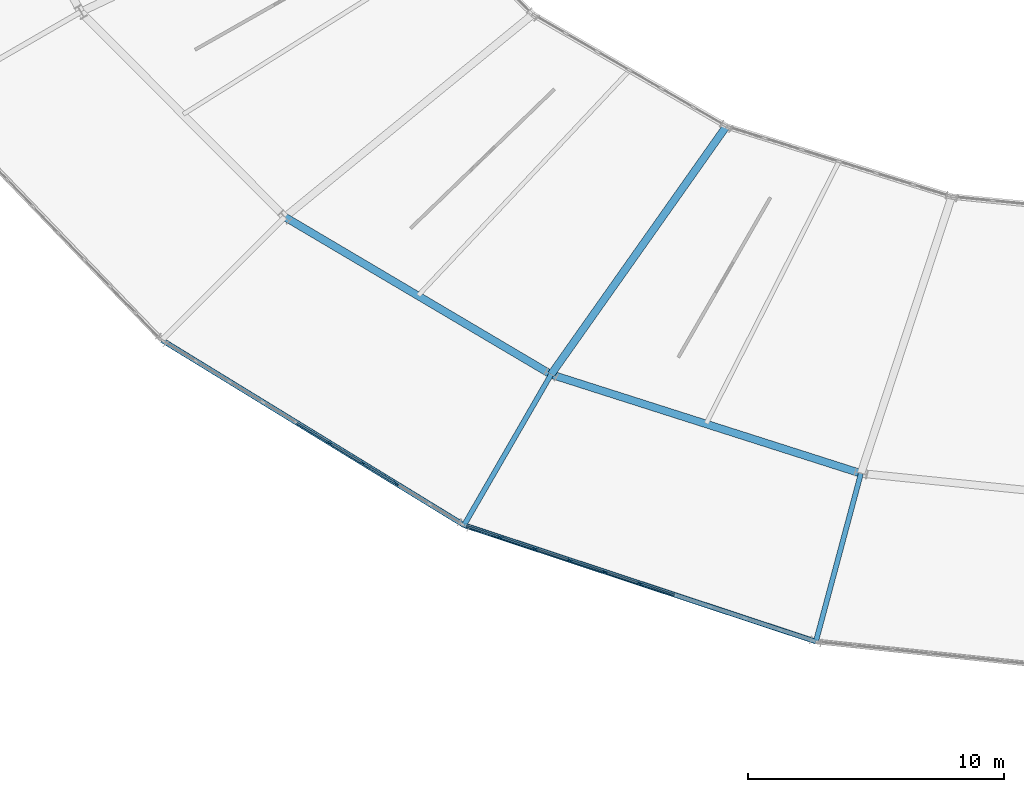
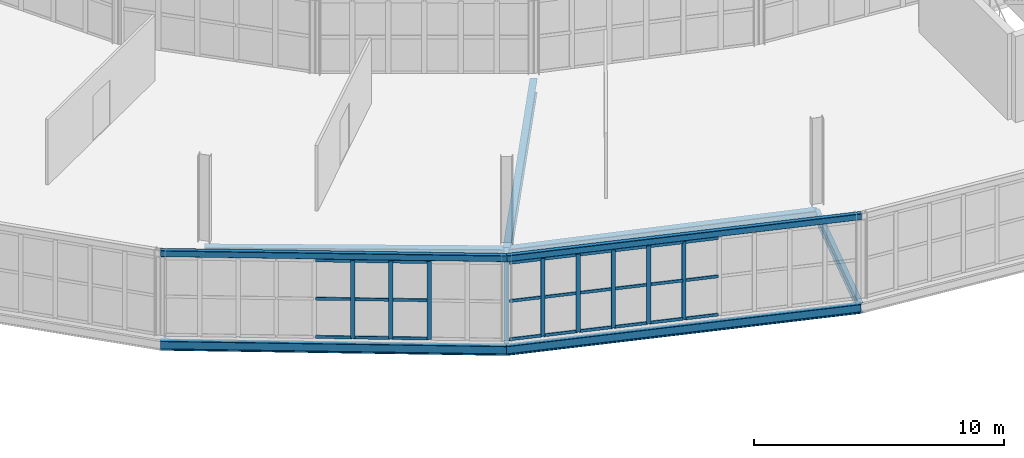
# One storey, part 43 of 161: 35 members, 9 beams, 2 elements without a shape of their own.
"""IFC4 building model written with IfcOpenShell, lengths in metres."""

from ifc_helpers import new_model, si_unit, direction, frame, origin, origin_2d, place, context, subcontext, project, spatial, rectangle, hollow_rectangle, i_section, extrude, material, material_profile, profile_set, type_object, element, aggregate, save


model = new_model("IFC4")

# Units and contexts
model_context = context("Model", 3, precision=1e-05, world=origin(), true_north=direction((0.0, 1.0)))
body_context = subcontext(model_context, "Body", "Model", "MODEL_VIEW")
ifc_project = project(units=[si_unit("LENGTHUNIT", "METRE"), si_unit("AREAUNIT", "SQUARE_METRE"), si_unit("VOLUMEUNIT", "CUBIC_METRE"), si_unit("PLANEANGLEUNIT", "RADIAN"), si_unit("MASSUNIT", "GRAM", prefix="KILO")], contexts=[model_context])

# Site, building, storey
site_placement = place(None, origin())
site = spatial("IfcSite", under=ifc_project, at=site_placement, CompositionType="ELEMENT")
building_placement = place(site_placement, origin())
building = spatial("IfcBuilding", under=site, at=building_placement, Name="Kildeholm Park Wholesale Market", CompositionType="ELEMENT")
storey_placement = place(building_placement, frame((0.0, 0.0, 5.39990234375)))
storey = spatial("IfcBuildingStorey", under=building, at=storey_placement, Name="L01", CompositionType="ELEMENT", Elevation=5.39990234375)

# Beams
ifc_material_1 = material(Name="Steel S355", Category="steel")
ifc_material_profile_1 = material_profile(ifc_material_1, i_section(OverallWidth=0.300048828125, OverallDepth=0.699951171875, WebThickness=0.01708984375, FlangeThickness=0.031982421875, FilletRadius=0.027099609375, at=origin_2d()), Name="HEB 700")
ifc_profile_set_1 = profile_set([ifc_material_profile_1], Name="Steel S355")
beam_type_1 = type_object("IfcBeamType", Name="Beam B-G01 HEB 700", PredefinedType="BEAM", material=ifc_profile_set_1)
beam_1_placement = place(storey_placement, frame((80.75, 65.68408203125, -0.599853515625), z_axis=(-0.576894674263, -0.816818544603, 0.0), x_axis=(0.816818544603, -0.576894674263, 0.0)))
element("IfcBeam", 1, at=beam_1_placement, inside=storey, type_object=beam_type_1, Name="Beam BM-V1-L01-R1-16 BM-0145", PredefinedType="BEAM", context=body_context, shape_type="SweptSolid", body=[
    extrude(i_section(OverallWidth=0.300048828125, OverallDepth=0.699951171875, WebThickness=0.01708984375, FlangeThickness=0.031982421875, FilletRadius=0.027099609375, at=origin_2d()), origin(), (0.0, 0.0, 1.0), 11.8740234375),
])
ifc_material_profile_2 = material_profile(ifc_material_1, i_section(OverallWidth=0.18994140625, OverallDepth=0.449951171875, WebThickness=0.009521484375, FlangeThickness=0.0146484375, FilletRadius=0.02099609375, at=origin_2d()), Name="IPE 450")
ifc_profile_set_2 = profile_set([ifc_material_profile_2], Name="Steel S355")
beam_type_2 = type_object("IfcBeamType", Name="Beam B-P02 IPE 450", PredefinedType="BEAM", material=ifc_profile_set_2)
beam_2_placement = place(storey_placement, frame((58.695068359375, 57.326904296875, -0.474853515625), z_axis=(0.852740373682, -0.522335002745, 0.0), x_axis=(0.522335002745, 0.852740373682, 0.0)))
element("IfcBeam", 2, at=beam_2_placement, inside=storey, type_object=beam_type_2, Name="Beam BM-V1-L01-CO-15 BM-0141", PredefinedType="BEAM", context=body_context, shape_type="SweptSolid", body=[
    extrude(i_section(OverallWidth=0.18994140625, OverallDepth=0.449951171875, WebThickness=0.009521484375, FlangeThickness=0.0146484375, FilletRadius=0.02099609375, at=origin_2d()), origin(), (0.0, 0.0, 1.0), 13.843505859375),
])
beam_3_placement = place(storey_placement, frame((70.5, 50.095947265625, -0.474853515625), z_axis=(0.949435985478, -0.313960681424, 0.0), x_axis=(0.313960681424, 0.949435985478, 0.0)))
element("IfcBeam", 3, at=beam_3_placement, inside=storey, type_object=beam_type_2, Name="Beam BM-V1-L01-CO-16 BM-0150", PredefinedType="BEAM", context=body_context, shape_type="SweptSolid", body=[
    extrude(i_section(OverallWidth=0.18994140625, OverallDepth=0.449951171875, WebThickness=0.009521484375, FlangeThickness=0.0146484375, FilletRadius=0.02099609375, at=origin_2d()), origin(), (0.0, 0.0, 1.0), 14.479248046875),
])
ifc_material_profile_3 = material_profile(ifc_material_1, i_section(OverallWidth=0.199951171875, OverallDepth=0.5, WebThickness=0.01025390625, FlangeThickness=0.01611328125, FilletRadius=0.02099609375, at=origin_2d()), Name="IPE 500")
ifc_profile_set_3 = profile_set([ifc_material_profile_3], Name="Steel S355")
beam_type_3 = type_object("IfcBeamType", Name="Beam B-P03 IPE 500", PredefinedType="BEAM", material=ifc_profile_set_3)
beam_4_placement = place(storey_placement, frame((73.89990234375, 55.985107421875, -0.5), z_axis=(-0.499977295307, -0.866038511948, 0.0), x_axis=(0.866038511948, -0.499977295307, 0.0)))
element("IfcBeam", 4, at=beam_4_placement, inside=storey, type_object=beam_type_3, Name="Beam BM-V1-L01-R2-16 BM-0147", PredefinedType="BEAM", context=body_context, shape_type="SweptSolid", body=[
    extrude(i_section(OverallWidth=0.199951171875, OverallDepth=0.5, WebThickness=0.01025390625, FlangeThickness=0.01611328125, FilletRadius=0.02099609375, at=origin_2d()), origin(), (0.0, 0.0, 1.0), 6.800048828125),
])
beam_5_placement = place(storey_placement, frame((86.007080078125, 52.118896484375, -0.5), z_axis=(-0.258804274594, -0.965929783914, 0.0), x_axis=(0.965929783914, -0.258804274594, 0.0)))
element("IfcBeam", 5, at=beam_5_placement, inside=storey, type_object=beam_type_3, Name="Beam BM-V1-L01-R2-17 BM-0157", PredefinedType="BEAM", context=body_context, shape_type="SweptSolid", body=[
    extrude(i_section(OverallWidth=0.199951171875, OverallDepth=0.5, WebThickness=0.01025390625, FlangeThickness=0.01611328125, FilletRadius=0.02099609375, at=origin_2d()), origin(), (0.0, 0.0, 1.0), 6.800537109375),
])
ifc_material_profile_4 = material_profile(ifc_material_1, i_section(OverallWidth=0.300048828125, OverallDepth=0.43994140625, WebThickness=0.011474609375, FlangeThickness=0.02099609375, FilletRadius=0.027099609375, at=origin_2d()), Name="HEA 450")
ifc_profile_set_4 = profile_set([ifc_material_profile_4], Name="Steel S355")
beam_type_4 = type_object("IfcBeamType", Name="Beam B-R02 HEA 450", PredefinedType="BEAM", material=ifc_profile_set_4)
beam_6_placement = place(storey_placement, frame((63.5029296875, 62.135009765625, -0.469970703125), z_axis=(0.860700316594, -0.509111937609, 0.0), x_axis=(0.509111937609, 0.860700316594, 0.0)))
element("IfcBeam", 6, at=beam_6_placement, inside=storey, type_object=beam_type_4, Name="Beam BM-V1-L01-CM-15 BM-0140", PredefinedType="BEAM", context=body_context, shape_type="SweptSolid", body=[
    extrude(i_section(OverallWidth=0.300048828125, OverallDepth=0.43994140625, WebThickness=0.011474609375, FlangeThickness=0.02099609375, FilletRadius=0.027099609375, at=origin_2d()), origin(), (0.0, 0.0, 1.0), 12.07958984375),
])
beam_7_placement = place(storey_placement, frame((73.89990234375, 55.985107421875, -0.469970703125), z_axis=(0.952608649326, -0.304198555599, 0.0), x_axis=(0.304198555599, 0.952608649326, 0.0)))
element("IfcBeam", 7, at=beam_7_placement, inside=storey, type_object=beam_type_4, Name="Beam BM-V1-L01-CM-16 BM-0149", PredefinedType="BEAM", context=body_context, shape_type="SweptSolid", body=[
    extrude(i_section(OverallWidth=0.300048828125, OverallDepth=0.43994140625, WebThickness=0.011474609375, FlangeThickness=0.02099609375, FilletRadius=0.027099609375, at=origin_2d()), origin(), (0.0, 0.0, 1.0), 12.70947265625),
])
ifc_material_profile_5 = material_profile(ifc_material_1, hollow_rectangle(XDim=0.199951171875, YDim=0.300048828125, WallThickness=0.012451171875, InnerFilletRadius=0.012451171875, OuterFilletRadius=0.02490234375, at=origin_2d()), Name="RHS 300x200x12.5")
ifc_profile_set_5 = profile_set([ifc_material_profile_5], Name="Steel S355")
beam_type_5 = type_object("IfcBeamType", Name="Beam SP-01 RHS 300x200x12.5", PredefinedType="SPANDREL", material=ifc_profile_set_5)
beam_8_placement = place(storey_placement, frame((58.695068359375, 57.326904296875, 4.02294921875), z_axis=(0.852740373682, -0.522335002745, 0.0), x_axis=(0.522335002745, 0.852740373682, 0.0)))
element("IfcBeam", 8, at=beam_8_placement, inside=storey, type_object=beam_type_5, Name="Beam SP-V1-EAV-15 BM-0310", PredefinedType="SPANDREL", context=body_context, shape_type="SweptSolid", body=[
    extrude(hollow_rectangle(XDim=0.199951171875, YDim=0.300048828125, WallThickness=0.012451171875, InnerFilletRadius=0.012451171875, OuterFilletRadius=0.02490234375, at=origin_2d()), origin(), (0.0, 0.0, 1.0), 13.843505859375),
])
beam_9_placement = place(storey_placement, frame((70.5, 50.095947265625, 4.02294921875), z_axis=(0.949435985478, -0.313960681424, 0.0), x_axis=(0.313960681424, 0.949435985478, 0.0)))
element("IfcBeam", 9, at=beam_9_placement, inside=storey, type_object=beam_type_5, Name="Beam SP-V1-EAV-16 BM-0316", PredefinedType="SPANDREL", context=body_context, shape_type="SweptSolid", body=[
    extrude(hollow_rectangle(XDim=0.199951171875, YDim=0.300048828125, WallThickness=0.012451171875, InnerFilletRadius=0.012451171875, OuterFilletRadius=0.02490234375, at=origin_2d()), origin(), (0.0, 0.0, 1.0), 14.479248046875),
])

# Curtain wall, members
ifc_material_2 = material(Name="Anodised aluminium and low-E double-glazed glass", Category="aluminium")
curtain_wall_type = type_object("IfcCurtainWallType", Name="Market hall glazed arcade stick curtain wall CW-01", PredefinedType="NOTDEFINED", material=ifc_material_2)
curtain_wall_1_placement = place(storey_placement, origin())
curtain_wall_1 = element("IfcCurtainWall", 10, at=curtain_wall_1_placement, inside=storey, type_object=curtain_wall_type, Name="Curtain wall CW-V1-OT-15-1 CW-0074", PredefinedType="NOTDEFINED")
ifc_material_3 = material(Name="Anodised aluminium", Category="aluminium")
ifc_material_profile_6 = material_profile(ifc_material_3, rectangle(XDim=0.06494140625, YDim=0.179931640625, at=origin_2d()), Name="CWM 65x180")
ifc_profile_set_6 = profile_set([ifc_material_profile_6], Name="Anodised aluminium")
member_type_1 = type_object("IfcMemberType", Name="Curtain-wall mullion CWM-1 CWM 65x180", PredefinedType="MULLION", material=ifc_profile_set_6)
member_1_placement = place(storey_placement, frame((65.24609375, 53.30810546875, 0.0), z_axis=(0.0, 0.0, 1.0), x_axis=(0.522284342695, 0.852771402766, 0.0)))
member_1 = element("IfcMember", 11, at=member_1_placement, type_object=member_type_1, Name="CW-01 mullion 6 MEM-2380", PredefinedType="MULLION", context=body_context, shape_type="SweptSolid", body=[
    extrude(rectangle(XDim=0.06494140625, YDim=0.179931640625, at=origin_2d()), origin(), (0.0, 0.0, 1.0), 3.800048828125),
])
member_2_placement = place(storey_placement, frame((66.55029296875, 52.50927734375, 0.0), z_axis=(0.0, 0.0, 1.0), x_axis=(0.522284342695, 0.852771402766, 0.0)))
member_2 = element("IfcMember", 12, at=member_2_placement, type_object=member_type_1, Name="CW-01 mullion 7 MEM-2381", PredefinedType="MULLION", context=body_context, shape_type="SweptSolid", body=[
    extrude(rectangle(XDim=0.06494140625, YDim=0.179931640625, at=origin_2d()), origin(), (0.0, 0.0, 1.0), 3.800048828125),
])
member_3_placement = place(storey_placement, frame((67.8544921875, 51.71044921875, 0.0), z_axis=(0.0, 0.0, 1.0), x_axis=(0.522284342695, 0.852771402766, 0.0)))
member_3 = element("IfcMember", 13, at=member_3_placement, type_object=member_type_1, Name="CW-01 mullion 8 MEM-2382", PredefinedType="MULLION", context=body_context, shape_type="SweptSolid", body=[
    extrude(rectangle(XDim=0.06494140625, YDim=0.179931640625, at=origin_2d()), origin(), (0.0, 0.0, 1.0), 3.800048828125),
])

curtain_wall_2_placement = place(storey_placement, origin())
curtain_wall_2 = element("IfcCurtainWall", 14, at=curtain_wall_2_placement, inside=storey, type_object=curtain_wall_type, Name="Curtain wall CW-V1-OT-16-1 CW-0079", PredefinedType="NOTDEFINED")
member_4_placement = place(storey_placement, frame((71.903076171875, 49.626953125, 0.0), z_axis=(0.0, 0.0, 1.0), x_axis=(0.313914140335, 0.949451374478, 0.0)))
member_4 = element("IfcMember", 15, at=member_4_placement, type_object=member_type_1, Name="CW-01 mullion 2 MEM-2521", PredefinedType="MULLION", context=body_context, shape_type="SweptSolid", body=[
    extrude(rectangle(XDim=0.06494140625, YDim=0.179931640625, at=origin_2d()), origin(), (0.0, 0.0, 1.0), 3.800048828125),
])
member_5_placement = place(storey_placement, frame((73.270263671875, 49.175048828125, 0.0), z_axis=(0.0, 0.0, 1.0), x_axis=(0.313914140335, 0.949451374478, 0.0)))
member_5 = element("IfcMember", 16, at=member_5_placement, type_object=member_type_1, Name="CW-01 mullion 3 MEM-2522", PredefinedType="MULLION", context=body_context, shape_type="SweptSolid", body=[
    extrude(rectangle(XDim=0.06494140625, YDim=0.179931640625, at=origin_2d()), origin(), (0.0, 0.0, 1.0), 3.800048828125),
])
member_6_placement = place(storey_placement, frame((74.63720703125, 48.722900390625, 0.0), z_axis=(0.0, 0.0, 1.0), x_axis=(0.313914140335, 0.949451374478, 0.0)))
member_6 = element("IfcMember", 17, at=member_6_placement, type_object=member_type_1, Name="CW-01 mullion 4 MEM-2523", PredefinedType="MULLION", context=body_context, shape_type="SweptSolid", body=[
    extrude(rectangle(XDim=0.06494140625, YDim=0.179931640625, at=origin_2d()), origin(), (0.0, 0.0, 1.0), 3.800048828125),
])
member_7_placement = place(storey_placement, frame((76.00439453125, 48.27099609375, 0.0), z_axis=(0.0, 0.0, 1.0), x_axis=(0.313914140335, 0.949451374478, 0.0)))
member_7 = element("IfcMember", 18, at=member_7_placement, type_object=member_type_1, Name="CW-01 mullion 5 MEM-2524", PredefinedType="MULLION", context=body_context, shape_type="SweptSolid", body=[
    extrude(rectangle(XDim=0.06494140625, YDim=0.179931640625, at=origin_2d()), origin(), (0.0, 0.0, 1.0), 3.800048828125),
])
member_8_placement = place(storey_placement, frame((77.37158203125, 47.819091796875, 0.0), z_axis=(0.0, 0.0, 1.0), x_axis=(0.313914140335, 0.949451374478, 0.0)))
member_8 = element("IfcMember", 19, at=member_8_placement, type_object=member_type_1, Name="CW-01 mullion 6 MEM-2525", PredefinedType="MULLION", context=body_context, shape_type="SweptSolid", body=[
    extrude(rectangle(XDim=0.06494140625, YDim=0.179931640625, at=origin_2d()), origin(), (0.0, 0.0, 1.0), 3.800048828125),
])

# Member
ifc_material_profile_7 = material_profile(ifc_material_3, rectangle(XDim=0.06494140625, YDim=0.139892578125, at=origin_2d()), Name="CWT 65x140")
ifc_profile_set_7 = profile_set([ifc_material_profile_7], Name="Anodised aluminium")
member_type_2 = type_object("IfcMemberType", Name="Curtain-wall transom CWT-1 CWT 65x140", PredefinedType="USERDEFINED", material=ifc_profile_set_7)
member_9_placement = place(storey_placement, frame((63.969482421875, 54.08984375, 0.03271484375), z_axis=(0.852869484193, -0.522124164287, 0.0), x_axis=(0.522124164287, 0.852869484193, 0.0)))
member_9 = element("IfcMember", 20, at=member_9_placement, type_object=member_type_2, Name="CW-01 transom 5.1 MEM-2397", ObjectType="TRANSOM", PredefinedType="USERDEFINED", context=body_context, shape_type="SweptSolid", body=[
    extrude(rectangle(XDim=0.06494140625, YDim=0.139892578125, at=origin_2d()), origin(), (0.0, 0.0, 1.0), 1.464599609375),
])

member_10_placement = place(storey_placement, frame((63.969482421875, 54.08984375, 1.900146484375), z_axis=(0.852869484193, -0.522124164287, 0.0), x_axis=(0.522124164287, 0.852869484193, 0.0)))
member_10 = element("IfcMember", 21, at=member_10_placement, type_object=member_type_2, Name="CW-01 transom 5.2 MEM-2398", ObjectType="TRANSOM", PredefinedType="USERDEFINED", context=body_context, shape_type="SweptSolid", body=[
    extrude(rectangle(XDim=0.06494140625, YDim=0.139892578125, at=origin_2d()), origin(), (0.0, 0.0, 1.0), 1.464599609375),
])

member_11_placement = place(storey_placement, frame((63.969482421875, 54.08984375, 3.767578125), z_axis=(0.852869484193, -0.522124164287, 0.0), x_axis=(0.522124164287, 0.852869484193, 0.0)))
member_11 = element("IfcMember", 22, at=member_11_placement, type_object=member_type_2, Name="CW-01 transom 5.3 MEM-2399", ObjectType="TRANSOM", PredefinedType="USERDEFINED", context=body_context, shape_type="SweptSolid", body=[
    extrude(rectangle(XDim=0.06494140625, YDim=0.139892578125, at=origin_2d()), origin(), (0.0, 0.0, 1.0), 1.464599609375),
])

member_12_placement = place(storey_placement, frame((65.27392578125, 53.291015625, 0.03271484375), z_axis=(0.852824028084, -0.522198407812, 0.0), x_axis=(0.522198407812, 0.852824028084, 0.0)))
member_12 = element("IfcMember", 23, at=member_12_placement, type_object=member_type_2, Name="CW-01 transom 6.1 MEM-2400", ObjectType="TRANSOM", PredefinedType="USERDEFINED", context=body_context, shape_type="SweptSolid", body=[
    extrude(rectangle(XDim=0.06494140625, YDim=0.139892578125, at=origin_2d()), origin(), (0.0, 0.0, 1.0), 1.46435546875),
])

member_13_placement = place(storey_placement, frame((65.27392578125, 53.291015625, 1.900146484375), z_axis=(0.852824028084, -0.522198407812, 0.0), x_axis=(0.522198407812, 0.852824028084, 0.0)))
member_13 = element("IfcMember", 24, at=member_13_placement, type_object=member_type_2, Name="CW-01 transom 6.2 MEM-2401", ObjectType="TRANSOM", PredefinedType="USERDEFINED", context=body_context, shape_type="SweptSolid", body=[
    extrude(rectangle(XDim=0.06494140625, YDim=0.139892578125, at=origin_2d()), origin(), (0.0, 0.0, 1.0), 1.46435546875),
])

member_14_placement = place(storey_placement, frame((65.27392578125, 53.291015625, 3.767578125), z_axis=(0.852824028084, -0.522198407812, 0.0), x_axis=(0.522198407812, 0.852824028084, 0.0)))
member_14 = element("IfcMember", 25, at=member_14_placement, type_object=member_type_2, Name="CW-01 transom 6.3 MEM-2402", ObjectType="TRANSOM", PredefinedType="USERDEFINED", context=body_context, shape_type="SweptSolid", body=[
    extrude(rectangle(XDim=0.06494140625, YDim=0.139892578125, at=origin_2d()), origin(), (0.0, 0.0, 1.0), 1.46435546875),
])

member_15_placement = place(storey_placement, frame((66.578125, 52.492431640625, 0.03271484375), z_axis=(0.852749773826, -0.522319656187, 0.0), x_axis=(0.522319656187, 0.852749773826, 0.0)))
member_15 = element("IfcMember", 26, at=member_15_placement, type_object=member_type_2, Name="CW-01 transom 7.1 MEM-2403", ObjectType="TRANSOM", PredefinedType="USERDEFINED", context=body_context, shape_type="SweptSolid", body=[
    extrude(rectangle(XDim=0.06494140625, YDim=0.139892578125, at=origin_2d()), origin(), (0.0, 0.0, 1.0), 1.46435546875),
])

member_16_placement = place(storey_placement, frame((66.578125, 52.492431640625, 1.900146484375), z_axis=(0.852749773826, -0.522319656187, 0.0), x_axis=(0.522319656187, 0.852749773826, 0.0)))
member_16 = element("IfcMember", 27, at=member_16_placement, type_object=member_type_2, Name="CW-01 transom 7.2 MEM-2404", ObjectType="TRANSOM", PredefinedType="USERDEFINED", context=body_context, shape_type="SweptSolid", body=[
    extrude(rectangle(XDim=0.06494140625, YDim=0.139892578125, at=origin_2d()), origin(), (0.0, 0.0, 1.0), 1.46435546875),
])

member_17_placement = place(storey_placement, frame((66.578125, 52.492431640625, 3.767578125), z_axis=(0.852749773826, -0.522319656187, 0.0), x_axis=(0.522319656187, 0.852749773826, 0.0)))
member_17 = element("IfcMember", 28, at=member_17_placement, type_object=member_type_2, Name="CW-01 transom 7.3 MEM-2405", ObjectType="TRANSOM", PredefinedType="USERDEFINED", context=body_context, shape_type="SweptSolid", body=[
    extrude(rectangle(XDim=0.06494140625, YDim=0.139892578125, at=origin_2d()), origin(), (0.0, 0.0, 1.0), 1.46435546875),
])

aggregate(curtain_wall_1, [member_1, member_2, member_3, member_9, member_10, member_11, member_12, member_13, member_14, member_15, member_16, member_17])

member_18_placement = place(storey_placement, frame((70.59765625, 50.05859375, 0.03271484375), z_axis=(0.949462371896, -0.313880876057, 0.0), x_axis=(0.313880876057, 0.949462371896, 0.0)))
member_18 = element("IfcMember", 29, at=member_18_placement, type_object=member_type_2, Name="CW-01 transom 1.1 MEM-2531", ObjectType="TRANSOM", PredefinedType="USERDEFINED", context=body_context, shape_type="SweptSolid", body=[
    extrude(rectangle(XDim=0.06494140625, YDim=0.139892578125, at=origin_2d()), origin(), (0.0, 0.0, 1.0), 1.342529296875),
])

member_19_placement = place(storey_placement, frame((70.59765625, 50.05859375, 1.900146484375), z_axis=(0.949462371896, -0.313880876057, 0.0), x_axis=(0.313880876057, 0.949462371896, 0.0)))
member_19 = element("IfcMember", 30, at=member_19_placement, type_object=member_type_2, Name="CW-01 transom 1.2 MEM-2532", ObjectType="TRANSOM", PredefinedType="USERDEFINED", context=body_context, shape_type="SweptSolid", body=[
    extrude(rectangle(XDim=0.06494140625, YDim=0.139892578125, at=origin_2d()), origin(), (0.0, 0.0, 1.0), 1.342529296875),
])

member_20_placement = place(storey_placement, frame((70.59765625, 50.05859375, 3.767578125), z_axis=(0.949462371896, -0.313880876057, 0.0), x_axis=(0.313880876057, 0.949462371896, 0.0)))
member_20 = element("IfcMember", 31, at=member_20_placement, type_object=member_type_2, Name="CW-01 transom 1.3 MEM-2533", ObjectType="TRANSOM", PredefinedType="USERDEFINED", context=body_context, shape_type="SweptSolid", body=[
    extrude(rectangle(XDim=0.06494140625, YDim=0.139892578125, at=origin_2d()), origin(), (0.0, 0.0, 1.0), 1.342529296875),
])

member_21_placement = place(storey_placement, frame((71.933837890625, 49.61669921875, 0.03271484375), z_axis=(0.949496981018, -0.313776167095, 0.0), x_axis=(0.313776167095, 0.949496981018, 0.0)))
member_21 = element("IfcMember", 32, at=member_21_placement, type_object=member_type_2, Name="CW-01 transom 2.1 MEM-2534", ObjectType="TRANSOM", PredefinedType="USERDEFINED", context=body_context, shape_type="SweptSolid", body=[
    extrude(rectangle(XDim=0.06494140625, YDim=0.139892578125, at=origin_2d()), origin(), (0.0, 0.0, 1.0), 1.374755859375),
])

member_22_placement = place(storey_placement, frame((71.933837890625, 49.61669921875, 1.900146484375), z_axis=(0.949496981018, -0.313776167095, 0.0), x_axis=(0.313776167095, 0.949496981018, 0.0)))
member_22 = element("IfcMember", 33, at=member_22_placement, type_object=member_type_2, Name="CW-01 transom 2.2 MEM-2535", ObjectType="TRANSOM", PredefinedType="USERDEFINED", context=body_context, shape_type="SweptSolid", body=[
    extrude(rectangle(XDim=0.06494140625, YDim=0.139892578125, at=origin_2d()), origin(), (0.0, 0.0, 1.0), 1.374755859375),
])

member_23_placement = place(storey_placement, frame((71.933837890625, 49.61669921875, 3.767578125), z_axis=(0.949496981018, -0.313776167095, 0.0), x_axis=(0.313776167095, 0.949496981018, 0.0)))
member_23 = element("IfcMember", 34, at=member_23_placement, type_object=member_type_2, Name="CW-01 transom 2.3 MEM-2536", ObjectType="TRANSOM", PredefinedType="USERDEFINED", context=body_context, shape_type="SweptSolid", body=[
    extrude(rectangle(XDim=0.06494140625, YDim=0.139892578125, at=origin_2d()), origin(), (0.0, 0.0, 1.0), 1.374755859375),
])

member_24_placement = place(storey_placement, frame((73.301025390625, 49.164794921875, 0.03271484375), z_axis=(0.949444065444, -0.313936246064, 0.0), x_axis=(0.313936246064, 0.949444065444, 0.0)))
member_24 = element("IfcMember", 35, at=member_24_placement, type_object=member_type_2, Name="CW-01 transom 3.1 MEM-2537", ObjectType="TRANSOM", PredefinedType="USERDEFINED", context=body_context, shape_type="SweptSolid", body=[
    extrude(rectangle(XDim=0.06494140625, YDim=0.139892578125, at=origin_2d()), origin(), (0.0, 0.0, 1.0), 1.375),
])

member_25_placement = place(storey_placement, frame((73.301025390625, 49.164794921875, 1.900146484375), z_axis=(0.949444065444, -0.313936246064, 0.0), x_axis=(0.313936246064, 0.949444065444, 0.0)))
member_25 = element("IfcMember", 36, at=member_25_placement, type_object=member_type_2, Name="CW-01 transom 3.2 MEM-2538", ObjectType="TRANSOM", PredefinedType="USERDEFINED", context=body_context, shape_type="SweptSolid", body=[
    extrude(rectangle(XDim=0.06494140625, YDim=0.139892578125, at=origin_2d()), origin(), (0.0, 0.0, 1.0), 1.375),
])

member_26_placement = place(storey_placement, frame((73.301025390625, 49.164794921875, 3.767578125), z_axis=(0.949444065444, -0.313936246064, 0.0), x_axis=(0.313936246064, 0.949444065444, 0.0)))
member_26 = element("IfcMember", 37, at=member_26_placement, type_object=member_type_2, Name="CW-01 transom 3.3 MEM-2539", ObjectType="TRANSOM", PredefinedType="USERDEFINED", context=body_context, shape_type="SweptSolid", body=[
    extrude(rectangle(XDim=0.06494140625, YDim=0.139892578125, at=origin_2d()), origin(), (0.0, 0.0, 1.0), 1.375),
])

member_27_placement = place(storey_placement, frame((74.668212890625, 48.712890625, 0.03271484375), z_axis=(0.949444065444, -0.313936246064, 0.0), x_axis=(0.313936246064, 0.949444065444, 0.0)))
member_27 = element("IfcMember", 38, at=member_27_placement, type_object=member_type_2, Name="CW-01 transom 4.1 MEM-2540", ObjectType="TRANSOM", PredefinedType="USERDEFINED", context=body_context, shape_type="SweptSolid", body=[
    extrude(rectangle(XDim=0.06494140625, YDim=0.139892578125, at=origin_2d()), origin(), (0.0, 0.0, 1.0), 1.375),
])

member_28_placement = place(storey_placement, frame((74.668212890625, 48.712890625, 1.900146484375), z_axis=(0.949444065444, -0.313936246064, 0.0), x_axis=(0.313936246064, 0.949444065444, 0.0)))
member_28 = element("IfcMember", 39, at=member_28_placement, type_object=member_type_2, Name="CW-01 transom 4.2 MEM-2541", ObjectType="TRANSOM", PredefinedType="USERDEFINED", context=body_context, shape_type="SweptSolid", body=[
    extrude(rectangle(XDim=0.06494140625, YDim=0.139892578125, at=origin_2d()), origin(), (0.0, 0.0, 1.0), 1.375),
])

member_29_placement = place(storey_placement, frame((74.668212890625, 48.712890625, 3.767578125), z_axis=(0.949444065444, -0.313936246064, 0.0), x_axis=(0.313936246064, 0.949444065444, 0.0)))
member_29 = element("IfcMember", 40, at=member_29_placement, type_object=member_type_2, Name="CW-01 transom 4.3 MEM-2542", ObjectType="TRANSOM", PredefinedType="USERDEFINED", context=body_context, shape_type="SweptSolid", body=[
    extrude(rectangle(XDim=0.06494140625, YDim=0.139892578125, at=origin_2d()), origin(), (0.0, 0.0, 1.0), 1.375),
])

member_30_placement = place(storey_placement, frame((76.03515625, 48.2607421875, 0.03271484375), z_axis=(0.949444065444, -0.313936246064, 0.0), x_axis=(0.313936246064, 0.949444065444, 0.0)))
member_30 = element("IfcMember", 41, at=member_30_placement, type_object=member_type_2, Name="CW-01 transom 5.1 MEM-2543", ObjectType="TRANSOM", PredefinedType="USERDEFINED", context=body_context, shape_type="SweptSolid", body=[
    extrude(rectangle(XDim=0.06494140625, YDim=0.139892578125, at=origin_2d()), origin(), (0.0, 0.0, 1.0), 1.375),
])

member_31_placement = place(storey_placement, frame((76.03515625, 48.2607421875, 1.900146484375), z_axis=(0.949444065444, -0.313936246064, 0.0), x_axis=(0.313936246064, 0.949444065444, 0.0)))
member_31 = element("IfcMember", 42, at=member_31_placement, type_object=member_type_2, Name="CW-01 transom 5.2 MEM-2544", ObjectType="TRANSOM", PredefinedType="USERDEFINED", context=body_context, shape_type="SweptSolid", body=[
    extrude(rectangle(XDim=0.06494140625, YDim=0.139892578125, at=origin_2d()), origin(), (0.0, 0.0, 1.0), 1.375),
])

member_32_placement = place(storey_placement, frame((76.03515625, 48.2607421875, 3.767578125), z_axis=(0.949444065444, -0.313936246064, 0.0), x_axis=(0.313936246064, 0.949444065444, 0.0)))
member_32 = element("IfcMember", 43, at=member_32_placement, type_object=member_type_2, Name="CW-01 transom 5.3 MEM-2545", ObjectType="TRANSOM", PredefinedType="USERDEFINED", context=body_context, shape_type="SweptSolid", body=[
    extrude(rectangle(XDim=0.06494140625, YDim=0.139892578125, at=origin_2d()), origin(), (0.0, 0.0, 1.0), 1.375),
])

member_33_placement = place(storey_placement, frame((77.40234375, 47.808837890625, 0.03271484375), z_axis=(0.949444065444, -0.313936246064, 0.0), x_axis=(0.313936246064, 0.949444065444, 0.0)))
member_33 = element("IfcMember", 44, at=member_33_placement, type_object=member_type_2, Name="CW-01 transom 6.1 MEM-2546", ObjectType="TRANSOM", PredefinedType="USERDEFINED", context=body_context, shape_type="SweptSolid", body=[
    extrude(rectangle(XDim=0.06494140625, YDim=0.139892578125, at=origin_2d()), origin(), (0.0, 0.0, 1.0), 1.375),
])

member_34_placement = place(storey_placement, frame((77.40234375, 47.808837890625, 1.900146484375), z_axis=(0.949444065444, -0.313936246064, 0.0), x_axis=(0.313936246064, 0.949444065444, 0.0)))
member_34 = element("IfcMember", 45, at=member_34_placement, type_object=member_type_2, Name="CW-01 transom 6.2 MEM-2547", ObjectType="TRANSOM", PredefinedType="USERDEFINED", context=body_context, shape_type="SweptSolid", body=[
    extrude(rectangle(XDim=0.06494140625, YDim=0.139892578125, at=origin_2d()), origin(), (0.0, 0.0, 1.0), 1.375),
])

member_35_placement = place(storey_placement, frame((77.40234375, 47.808837890625, 3.767578125), z_axis=(0.949444065444, -0.313936246064, 0.0), x_axis=(0.313936246064, 0.949444065444, 0.0)))
member_35 = element("IfcMember", 46, at=member_35_placement, type_object=member_type_2, Name="CW-01 transom 6.3 MEM-2548", ObjectType="TRANSOM", PredefinedType="USERDEFINED", context=body_context, shape_type="SweptSolid", body=[
    extrude(rectangle(XDim=0.06494140625, YDim=0.139892578125, at=origin_2d()), origin(), (0.0, 0.0, 1.0), 1.375),
])

aggregate(curtain_wall_2, [member_4, member_5, member_6, member_7, member_8, member_18, member_19, member_20, member_21, member_22, member_23, member_24, member_25, member_26, member_27, member_28, member_29, member_30, member_31, member_32, member_33, member_34, member_35])

save(model, "model.ifc")
